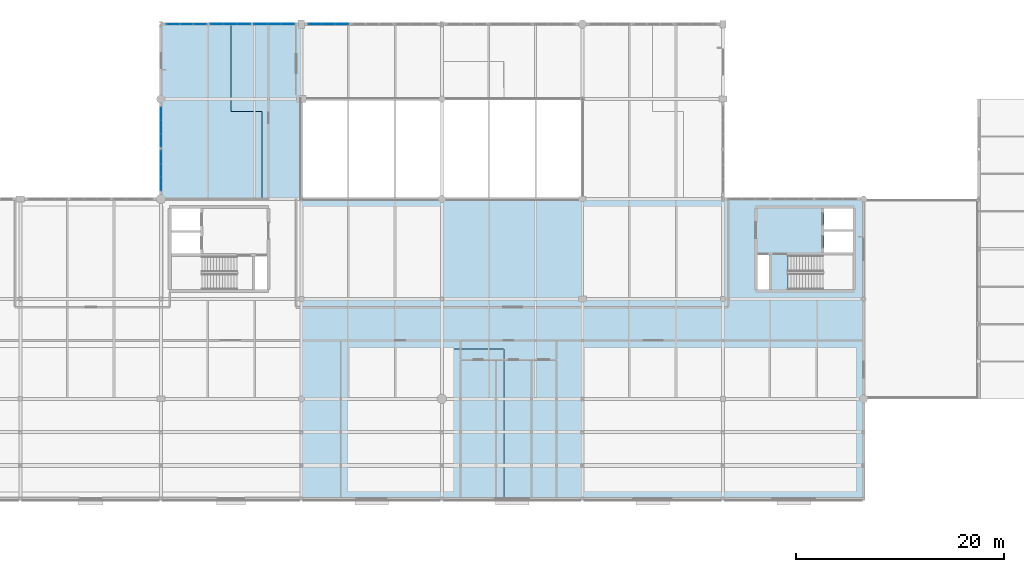
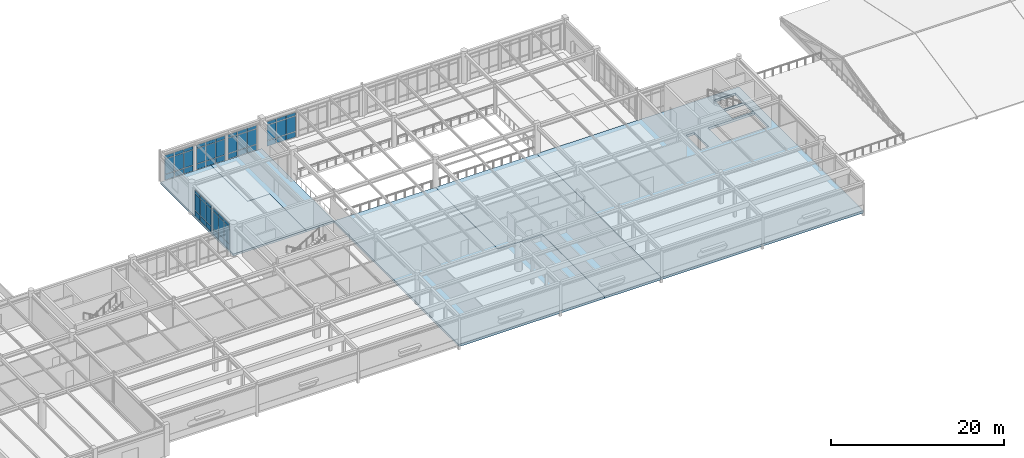
# One storey, part 39 of 61: 54 plates, 5 slabs, 6 elements without a shape of their own.
"""IFC4 building model written with IfcOpenShell, lengths in metres."""

from ifc_helpers import new_model, si_unit, direction, frame, origin, origin_2d, place, context, subcontext, project, spatial, polyline, rectangle, outline, extrude, material, layer, layer_set, type_object, element, aggregate, save


model = new_model("IFC4")

# Units and contexts
model_context = context("Model", 3, precision=1e-05, world=origin(), true_north=direction((0.0, 1.0)))
body_context = subcontext(model_context, "Body", "Model", "MODEL_VIEW")
ifc_project = project(units=[si_unit("LENGTHUNIT", "METRE"), si_unit("AREAUNIT", "SQUARE_METRE"), si_unit("VOLUMEUNIT", "CUBIC_METRE"), si_unit("PLANEANGLEUNIT", "RADIAN"), si_unit("MASSUNIT", "GRAM", prefix="KILO")], contexts=[model_context])

# Site, building, storey
site_placement = place(None, origin())
site = spatial("IfcSite", under=ifc_project, at=site_placement, CompositionType="ELEMENT")
building_placement = place(site_placement, origin())
building = spatial("IfcBuilding", under=site, at=building_placement, Name="Fikremerkos Civic Library", CompositionType="ELEMENT")
storey_placement = place(building_placement, frame((0.0, 0.0, 14.39990234375)))
storey = spatial("IfcBuildingStorey", under=building, at=storey_placement, Name="L03", CompositionType="ELEMENT", Elevation=14.39990234375)

# Curtain wall, plates
ifc_material_1 = material(Name="Anodized aluminium Frame", Category="aluminium")
ifc_layer_1 = layer(ifc_material_1, 0.159912109375, Name="Anodized aluminium Frame")
ifc_layer_set_1 = layer_set([ifc_layer_1], Name="Anodized aluminium Frame")
curtain_wall_type_1 = type_object("IfcCurtainWallType", Name="Unitised curtain wall CW-13 3700x3200", PredefinedType="USERDEFINED", material=ifc_layer_set_1)
curtain_wall_1_placement = place(storey_placement, origin())
curtain_wall_1 = element("IfcCurtainWall", 1, at=curtain_wall_1_placement, inside=storey, type_object=curtain_wall_type_1, Name="Unitised curtain wall CW-13 L03 #193", ObjectType="UNITISED CURTAIN WALL", PredefinedType="USERDEFINED")
ifc_material_2 = material(Name="Solar control double glazing", Category="glass")
ifc_layer_2 = layer(ifc_material_2, 0.028076171875, Name="Solar control double glazing")
ifc_layer_set_2 = layer_set([ifc_layer_2], Name="Solar control double glazing")
plate_type_1 = type_object("IfcPlateType", Name="Curtain glazing panel CWP-01 28", PredefinedType="CURTAIN_PANEL", material=ifc_layer_set_2)
plate_1_placement = place(storey_placement, frame((47.3671875, 48.0, 0.06005859375), z_axis=(0.0, 0.0, 1.0), x_axis=(1.0, 0.0, 0.0)))
plate_1 = element("IfcPlate", 2, at=plate_1_placement, type_object=plate_type_1, Name="CW-13 panel 1.1", PredefinedType="CURTAIN_PANEL", context=body_context, shape_type="SweptSolid", body=[
    extrude(rectangle(XDim=1.20849609375, YDim=0.028076171875, at=origin_2d()), origin(), (0.0, 0.0, 1.0), 0.760009765625),
])
plate_2_placement = place(storey_placement, frame((47.3671875, 48.0, 0.880126953125), z_axis=(0.0, 0.0, 1.0), x_axis=(1.0, 0.0, 0.0)))
plate_2 = element("IfcPlate", 3, at=plate_2_placement, type_object=plate_type_1, Name="CW-13 panel 1.2", PredefinedType="CURTAIN_PANEL", context=body_context, shape_type="SweptSolid", body=[
    extrude(rectangle(XDim=1.20849609375, YDim=0.028076171875, at=origin_2d()), origin(), (0.0, 0.0, 1.0), 2.14990234375),
])
plate_3_placement = place(storey_placement, frame((47.3671875, 48.0, 3.090087890625), z_axis=(0.0, 0.0, 1.0), x_axis=(1.0, 0.0, 0.0)))
plate_3 = element("IfcPlate", 4, at=plate_3_placement, type_object=plate_type_1, Name="CW-13 panel 1.3", PredefinedType="CURTAIN_PANEL", context=body_context, shape_type="SweptSolid", body=[
    extrude(rectangle(XDim=1.20849609375, YDim=0.028076171875, at=origin_2d()), origin(), (0.0, 0.0, 1.0), 0.4599609375),
])
plate_4_placement = place(storey_placement, frame((48.656982421875, 48.0, 0.06005859375), z_axis=(0.0, 0.0, 1.0), x_axis=(1.0, 0.0, 0.0)))
plate_4 = element("IfcPlate", 5, at=plate_4_placement, type_object=plate_type_1, Name="CW-13 panel 2.1", PredefinedType="CURTAIN_PANEL", context=body_context, shape_type="SweptSolid", body=[
    extrude(rectangle(XDim=1.240966796875, YDim=0.028076171875, at=origin_2d()), origin(), (0.0, 0.0, 1.0), 0.760009765625),
])
plate_5_placement = place(storey_placement, frame((48.656982421875, 48.0, 0.880126953125), z_axis=(0.0, 0.0, 1.0), x_axis=(1.0, 0.0, 0.0)))
plate_5 = element("IfcPlate", 6, at=plate_5_placement, type_object=plate_type_1, Name="CW-13 panel 2.2", PredefinedType="CURTAIN_PANEL", context=body_context, shape_type="SweptSolid", body=[
    extrude(rectangle(XDim=1.240966796875, YDim=0.028076171875, at=origin_2d()), origin(), (0.0, 0.0, 1.0), 2.14990234375),
])
plate_6_placement = place(storey_placement, frame((48.656982421875, 48.0, 3.090087890625), z_axis=(0.0, 0.0, 1.0), x_axis=(1.0, 0.0, 0.0)))
plate_6 = element("IfcPlate", 7, at=plate_6_placement, type_object=plate_type_1, Name="CW-13 panel 2.3", PredefinedType="CURTAIN_PANEL", context=body_context, shape_type="SweptSolid", body=[
    extrude(rectangle(XDim=1.240966796875, YDim=0.028076171875, at=origin_2d()), origin(), (0.0, 0.0, 1.0), 0.4599609375),
])
plate_7_placement = place(storey_placement, frame((49.94677734375, 48.0, 0.06005859375), z_axis=(0.0, 0.0, 1.0), x_axis=(1.0, 0.0, 0.0)))
plate_7 = element("IfcPlate", 8, at=plate_7_placement, type_object=plate_type_1, Name="CW-13 panel 3.1", PredefinedType="CURTAIN_PANEL", context=body_context, shape_type="SweptSolid", body=[
    extrude(rectangle(XDim=1.20849609375, YDim=0.028076171875, at=origin_2d()), origin(), (0.0, 0.0, 1.0), 0.760009765625),
])
plate_8_placement = place(storey_placement, frame((49.94677734375, 48.0, 0.880126953125), z_axis=(0.0, 0.0, 1.0), x_axis=(1.0, 0.0, 0.0)))
plate_8 = element("IfcPlate", 9, at=plate_8_placement, type_object=plate_type_1, Name="CW-13 panel 3.2", PredefinedType="CURTAIN_PANEL", context=body_context, shape_type="SweptSolid", body=[
    extrude(rectangle(XDim=1.20849609375, YDim=0.028076171875, at=origin_2d()), origin(), (0.0, 0.0, 1.0), 2.14990234375),
])
plate_9_placement = place(storey_placement, frame((49.94677734375, 48.0, 3.090087890625), z_axis=(0.0, 0.0, 1.0), x_axis=(1.0, 0.0, 0.0)))
plate_9 = element("IfcPlate", 10, at=plate_9_placement, type_object=plate_type_1, Name="CW-13 panel 3.3", PredefinedType="CURTAIN_PANEL", context=body_context, shape_type="SweptSolid", body=[
    extrude(rectangle(XDim=1.20849609375, YDim=0.028076171875, at=origin_2d()), origin(), (0.0, 0.0, 1.0), 0.4599609375),
])
aggregate(curtain_wall_1, [plate_1, plate_2, plate_3, plate_4, plate_5, plate_6, plate_7, plate_8, plate_9])

ifc_layer_3 = layer(ifc_material_1, 0.159912109375, Name="Anodized aluminium Frame")
ifc_layer_set_3 = layer_set([ifc_layer_3], Name="Anodized aluminium Frame")
curtain_wall_type_2 = type_object("IfcCurtainWallType", Name="Unitised curtain wall CW-14 4100x3200", PredefinedType="USERDEFINED", material=ifc_layer_set_3)
curtain_wall_2_placement = place(storey_placement, origin())
curtain_wall_2 = element("IfcCurtainWall", 11, at=curtain_wall_2_placement, inside=storey, type_object=curtain_wall_type_2, Name="Unitised curtain wall CW-14 L03 #194", ObjectType="UNITISED CURTAIN WALL", PredefinedType="USERDEFINED")
ifc_layer_4 = layer(ifc_material_2, 0.035888671875, Name="Solar control double glazing")
ifc_layer_set_4 = layer_set([ifc_layer_4], Name="Solar control double glazing")
plate_type_2 = type_object("IfcPlateType", Name="Curtain glazing panel CWP-02 36", PredefinedType="CURTAIN_PANEL", material=ifc_layer_set_4)
plate_10_placement = place(storey_placement, frame((51.583984375, 48.0, 0.06005859375), z_axis=(0.0, 0.0, 1.0), x_axis=(1.0, 0.0, 0.0)))
plate_10 = element("IfcPlate", 12, at=plate_10_placement, type_object=plate_type_2, Name="CW-14 panel 1.1", PredefinedType="CURTAIN_PANEL", context=body_context, shape_type="SweptSolid", body=[
    extrude(rectangle(XDim=1.216064453125, YDim=0.035888671875, at=origin_2d()), origin(), (0.0, 0.0, 1.0), 0.760009765625),
])
plate_11_placement = place(storey_placement, frame((51.583984375, 48.0, 0.880126953125), z_axis=(0.0, 0.0, 1.0), x_axis=(1.0, 0.0, 0.0)))
plate_11 = element("IfcPlate", 13, at=plate_11_placement, type_object=plate_type_2, Name="CW-14 panel 1.2", PredefinedType="CURTAIN_PANEL", context=body_context, shape_type="SweptSolid", body=[
    extrude(rectangle(XDim=1.216064453125, YDim=0.035888671875, at=origin_2d()), origin(), (0.0, 0.0, 1.0), 2.14990234375),
])
plate_12_placement = place(storey_placement, frame((51.583984375, 48.0, 3.090087890625), z_axis=(0.0, 0.0, 1.0), x_axis=(1.0, 0.0, 0.0)))
plate_12 = element("IfcPlate", 14, at=plate_12_placement, type_object=plate_type_2, Name="CW-14 panel 1.3", PredefinedType="CURTAIN_PANEL", context=body_context, shape_type="SweptSolid", body=[
    extrude(rectangle(XDim=1.216064453125, YDim=0.035888671875, at=origin_2d()), origin(), (0.0, 0.0, 1.0), 0.4599609375),
])
plate_13_placement = place(storey_placement, frame((52.875, 48.0, 0.06005859375), z_axis=(0.0, 0.0, 1.0), x_axis=(1.0, 0.0, 0.0)))
plate_13 = element("IfcPlate", 15, at=plate_13_placement, type_object=plate_type_2, Name="CW-14 panel 2.1", PredefinedType="CURTAIN_PANEL", context=body_context, shape_type="SweptSolid", body=[
    extrude(rectangle(XDim=1.24609375, YDim=0.035888671875, at=origin_2d()), origin(), (0.0, 0.0, 1.0), 0.760009765625),
])
plate_14_placement = place(storey_placement, frame((52.875, 48.0, 0.880126953125), z_axis=(0.0, 0.0, 1.0), x_axis=(1.0, 0.0, 0.0)))
plate_14 = element("IfcPlate", 16, at=plate_14_placement, type_object=plate_type_2, Name="CW-14 panel 2.2", PredefinedType="CURTAIN_PANEL", context=body_context, shape_type="SweptSolid", body=[
    extrude(rectangle(XDim=1.24609375, YDim=0.035888671875, at=origin_2d()), origin(), (0.0, 0.0, 1.0), 2.14990234375),
])
plate_15_placement = place(storey_placement, frame((52.875, 48.0, 3.090087890625), z_axis=(0.0, 0.0, 1.0), x_axis=(1.0, 0.0, 0.0)))
plate_15 = element("IfcPlate", 17, at=plate_15_placement, type_object=plate_type_2, Name="CW-14 panel 2.3", PredefinedType="CURTAIN_PANEL", context=body_context, shape_type="SweptSolid", body=[
    extrude(rectangle(XDim=1.24609375, YDim=0.035888671875, at=origin_2d()), origin(), (0.0, 0.0, 1.0), 0.4599609375),
])
plate_16_placement = place(storey_placement, frame((54.166015625, 48.0, 0.06005859375), z_axis=(0.0, 0.0, 1.0), x_axis=(1.0, 0.0, 0.0)))
plate_16 = element("IfcPlate", 18, at=plate_16_placement, type_object=plate_type_2, Name="CW-14 panel 3.1", PredefinedType="CURTAIN_PANEL", context=body_context, shape_type="SweptSolid", body=[
    extrude(rectangle(XDim=1.216064453125, YDim=0.035888671875, at=origin_2d()), origin(), (0.0, 0.0, 1.0), 0.760009765625),
])
plate_17_placement = place(storey_placement, frame((54.166015625, 48.0, 0.880126953125), z_axis=(0.0, 0.0, 1.0), x_axis=(1.0, 0.0, 0.0)))
plate_17 = element("IfcPlate", 19, at=plate_17_placement, type_object=plate_type_2, Name="CW-14 panel 3.2", PredefinedType="CURTAIN_PANEL", context=body_context, shape_type="SweptSolid", body=[
    extrude(rectangle(XDim=1.216064453125, YDim=0.035888671875, at=origin_2d()), origin(), (0.0, 0.0, 1.0), 2.14990234375),
])
plate_18_placement = place(storey_placement, frame((54.166015625, 48.0, 3.090087890625), z_axis=(0.0, 0.0, 1.0), x_axis=(1.0, 0.0, 0.0)))
plate_18 = element("IfcPlate", 20, at=plate_18_placement, type_object=plate_type_2, Name="CW-14 panel 3.3", PredefinedType="CURTAIN_PANEL", context=body_context, shape_type="SweptSolid", body=[
    extrude(rectangle(XDim=1.216064453125, YDim=0.035888671875, at=origin_2d()), origin(), (0.0, 0.0, 1.0), 0.4599609375),
])
aggregate(curtain_wall_2, [plate_10, plate_11, plate_12, plate_13, plate_14, plate_15, plate_16, plate_17, plate_18])

ifc_layer_5 = layer(ifc_material_1, 0.159912109375, Name="Anodized aluminium Frame")
ifc_layer_set_5 = layer_set([ifc_layer_5], Name="Anodized aluminium Frame")
curtain_wall_type_3 = type_object("IfcCurtainWallType", Name="Unitised curtain wall CW-11 3200x3400", PredefinedType="USERDEFINED", material=ifc_layer_set_5)
curtain_wall_3_placement = place(storey_placement, origin())
curtain_wall_3 = element("IfcCurtainWall", 21, at=curtain_wall_3_placement, inside=storey, type_object=curtain_wall_type_3, Name="Unitised curtain wall CW-11 L03 #191", ObjectType="UNITISED CURTAIN WALL", PredefinedType="USERDEFINED")
ifc_material_3 = material(Name="Insulated aluminium spandrel", Category="aluminium")
ifc_layer_6 = layer(ifc_material_3, 0.044921875, Name="Insulated aluminium spandrel")
ifc_layer_set_6 = layer_set([ifc_layer_6], Name="Insulated aluminium spandrel")
plate_type_3 = type_object("IfcPlateType", Name="Curtain spandrel panel CSP-01 45", PredefinedType="CURTAIN_PANEL", material=ifc_layer_set_6)
plate_19_placement = place(storey_placement, frame((46.199951171875, 32.6591796875, 0.065185546875), z_axis=(0.0, 0.0, 1.0), x_axis=(0.0, 1.0, 0.0)))
plate_19 = element("IfcPlate", 22, at=plate_19_placement, type_object=plate_type_3, Name="CW-11 panel 1.1", PredefinedType="CURTAIN_PANEL", context=body_context, shape_type="SweptSolid", body=[
    extrude(rectangle(XDim=1.202392578125, YDim=0.044921875, at=origin_2d()), origin(), (0.0, 0.0, 1.0), 0.75244140625),
])
plate_20_placement = place(storey_placement, frame((46.199951171875, 32.6591796875, 0.882568359375), z_axis=(0.0, 0.0, 1.0), x_axis=(0.0, 1.0, 0.0)))
plate_20 = element("IfcPlate", 23, at=plate_20_placement, type_object=plate_type_3, Name="CW-11 panel 1.2", PredefinedType="CURTAIN_PANEL", context=body_context, shape_type="SweptSolid", body=[
    extrude(rectangle(XDim=1.202392578125, YDim=0.044921875, at=origin_2d()), origin(), (0.0, 0.0, 1.0), 2.35498046875),
])
plate_21_placement = place(storey_placement, frame((46.199951171875, 32.6591796875, 3.302734375), z_axis=(0.0, 0.0, 1.0), x_axis=(0.0, 1.0, 0.0)))
plate_21 = element("IfcPlate", 24, at=plate_21_placement, type_object=plate_type_3, Name="CW-11 panel 1.3", PredefinedType="CURTAIN_PANEL", context=body_context, shape_type="SweptSolid", body=[
    extrude(rectangle(XDim=1.202392578125, YDim=0.044921875, at=origin_2d()), origin(), (0.0, 0.0, 1.0), 0.452392578125),
])
plate_22_placement = place(storey_placement, frame((46.199951171875, 33.9365234375, 0.065185546875), z_axis=(0.0, 0.0, 1.0), x_axis=(0.0, 1.0, 0.0)))
plate_22 = element("IfcPlate", 25, at=plate_22_placement, type_object=plate_type_3, Name="CW-11 panel 2.1", PredefinedType="CURTAIN_PANEL", context=body_context, shape_type="SweptSolid", body=[
    extrude(rectangle(XDim=1.232421875, YDim=0.044921875, at=origin_2d()), origin(), (0.0, 0.0, 1.0), 0.75244140625),
])
plate_23_placement = place(storey_placement, frame((46.199951171875, 33.9365234375, 0.882568359375), z_axis=(0.0, 0.0, 1.0), x_axis=(0.0, 1.0, 0.0)))
plate_23 = element("IfcPlate", 26, at=plate_23_placement, type_object=plate_type_3, Name="CW-11 panel 2.2", PredefinedType="CURTAIN_PANEL", context=body_context, shape_type="SweptSolid", body=[
    extrude(rectangle(XDim=1.232421875, YDim=0.044921875, at=origin_2d()), origin(), (0.0, 0.0, 1.0), 2.35498046875),
])
plate_24_placement = place(storey_placement, frame((46.199951171875, 33.9365234375, 3.302734375), z_axis=(0.0, 0.0, 1.0), x_axis=(0.0, 1.0, 0.0)))
plate_24 = element("IfcPlate", 27, at=plate_24_placement, type_object=plate_type_3, Name="CW-11 panel 2.3", PredefinedType="CURTAIN_PANEL", context=body_context, shape_type="SweptSolid", body=[
    extrude(rectangle(XDim=1.232421875, YDim=0.044921875, at=origin_2d()), origin(), (0.0, 0.0, 1.0), 0.452392578125),
])
plate_25_placement = place(storey_placement, frame((46.199951171875, 35.2138671875, 0.065185546875), z_axis=(0.0, 0.0, 1.0), x_axis=(0.0, 1.0, 0.0)))
plate_25 = element("IfcPlate", 28, at=plate_25_placement, type_object=plate_type_3, Name="CW-11 panel 3.1", PredefinedType="CURTAIN_PANEL", context=body_context, shape_type="SweptSolid", body=[
    extrude(rectangle(XDim=1.202392578125, YDim=0.044921875, at=origin_2d()), origin(), (0.0, 0.0, 1.0), 0.75244140625),
])
plate_26_placement = place(storey_placement, frame((46.199951171875, 35.2138671875, 0.882568359375), z_axis=(0.0, 0.0, 1.0), x_axis=(0.0, 1.0, 0.0)))
plate_26 = element("IfcPlate", 29, at=plate_26_placement, type_object=plate_type_3, Name="CW-11 panel 3.2", PredefinedType="CURTAIN_PANEL", context=body_context, shape_type="SweptSolid", body=[
    extrude(rectangle(XDim=1.202392578125, YDim=0.044921875, at=origin_2d()), origin(), (0.0, 0.0, 1.0), 2.35498046875),
])
plate_27_placement = place(storey_placement, frame((46.199951171875, 35.2138671875, 3.302734375), z_axis=(0.0, 0.0, 1.0), x_axis=(0.0, 1.0, 0.0)))
plate_27 = element("IfcPlate", 30, at=plate_27_placement, type_object=plate_type_3, Name="CW-11 panel 3.3", PredefinedType="CURTAIN_PANEL", context=body_context, shape_type="SweptSolid", body=[
    extrude(rectangle(XDim=1.202392578125, YDim=0.044921875, at=origin_2d()), origin(), (0.0, 0.0, 1.0), 0.452392578125),
])
aggregate(curtain_wall_3, [plate_19, plate_20, plate_21, plate_22, plate_23, plate_24, plate_25, plate_26, plate_27])

ifc_layer_7 = layer(ifc_material_1, 0.159912109375, Name="Anodized aluminium Frame")
ifc_layer_set_7 = layer_set([ifc_layer_7], Name="Anodized aluminium Frame")
curtain_wall_type_4 = type_object("IfcCurtainWallType", Name="Unitised curtain wall CW-15 2900x3600", PredefinedType="USERDEFINED", material=ifc_layer_set_7)
curtain_wall_4_placement = place(storey_placement, origin())
curtain_wall_4 = element("IfcCurtainWall", 31, at=curtain_wall_4_placement, inside=storey, type_object=curtain_wall_type_4, Name="Unitised curtain wall CW-15 L03 #195", ObjectType="UNITISED CURTAIN WALL", PredefinedType="USERDEFINED")
plate_28_placement = place(storey_placement, frame((55.802001953125, 48.0, 0.070068359375), z_axis=(0.0, 0.0, 1.0), x_axis=(1.0, 0.0, 0.0)))
plate_28 = element("IfcPlate", 32, at=plate_28_placement, type_object=plate_type_3, Name="CW-15 panel 1.1", PredefinedType="CURTAIN_PANEL", context=body_context, shape_type="SweptSolid", body=[
    extrude(rectangle(XDim=1.216064453125, YDim=0.044921875, at=origin_2d()), origin(), (0.0, 0.0, 1.0), 0.7451171875),
])
plate_29_placement = place(storey_placement, frame((55.802001953125, 48.0, 0.88525390625), z_axis=(0.0, 0.0, 1.0), x_axis=(1.0, 0.0, 0.0)))
plate_29 = element("IfcPlate", 33, at=plate_29_placement, type_object=plate_type_3, Name="CW-15 panel 1.2", PredefinedType="CURTAIN_PANEL", context=body_context, shape_type="SweptSolid", body=[
    extrude(rectangle(XDim=1.216064453125, YDim=0.044921875, at=origin_2d()), origin(), (0.0, 0.0, 1.0), 2.139892578125),
])
plate_30_placement = place(storey_placement, frame((55.802001953125, 48.0, 3.09521484375), z_axis=(0.0, 0.0, 1.0), x_axis=(1.0, 0.0, 0.0)))
plate_30 = element("IfcPlate", 34, at=plate_30_placement, type_object=plate_type_3, Name="CW-15 panel 1.3", PredefinedType="CURTAIN_PANEL", context=body_context, shape_type="SweptSolid", body=[
    extrude(rectangle(XDim=1.216064453125, YDim=0.044921875, at=origin_2d()), origin(), (0.0, 0.0, 1.0), 0.445068359375),
])
plate_31_placement = place(storey_placement, frame((57.093017578125, 48.0, 0.070068359375), z_axis=(0.0, 0.0, 1.0), x_axis=(1.0, 0.0, 0.0)))
plate_31 = element("IfcPlate", 35, at=plate_31_placement, type_object=plate_type_3, Name="CW-15 panel 2.1", PredefinedType="CURTAIN_PANEL", context=body_context, shape_type="SweptSolid", body=[
    extrude(rectangle(XDim=1.24609375, YDim=0.044921875, at=origin_2d()), origin(), (0.0, 0.0, 1.0), 0.7451171875),
])
plate_32_placement = place(storey_placement, frame((57.093017578125, 48.0, 0.88525390625), z_axis=(0.0, 0.0, 1.0), x_axis=(1.0, 0.0, 0.0)))
plate_32 = element("IfcPlate", 36, at=plate_32_placement, type_object=plate_type_3, Name="CW-15 panel 2.2", PredefinedType="CURTAIN_PANEL", context=body_context, shape_type="SweptSolid", body=[
    extrude(rectangle(XDim=1.24609375, YDim=0.044921875, at=origin_2d()), origin(), (0.0, 0.0, 1.0), 2.139892578125),
])
plate_33_placement = place(storey_placement, frame((57.093017578125, 48.0, 3.09521484375), z_axis=(0.0, 0.0, 1.0), x_axis=(1.0, 0.0, 0.0)))
plate_33 = element("IfcPlate", 37, at=plate_33_placement, type_object=plate_type_3, Name="CW-15 panel 2.3", PredefinedType="CURTAIN_PANEL", context=body_context, shape_type="SweptSolid", body=[
    extrude(rectangle(XDim=1.24609375, YDim=0.044921875, at=origin_2d()), origin(), (0.0, 0.0, 1.0), 0.445068359375),
])
plate_34_placement = place(storey_placement, frame((58.384033203125, 48.0, 0.070068359375), z_axis=(0.0, 0.0, 1.0), x_axis=(1.0, 0.0, 0.0)))
plate_34 = element("IfcPlate", 38, at=plate_34_placement, type_object=plate_type_3, Name="CW-15 panel 3.1", PredefinedType="CURTAIN_PANEL", context=body_context, shape_type="SweptSolid", body=[
    extrude(rectangle(XDim=1.216064453125, YDim=0.044921875, at=origin_2d()), origin(), (0.0, 0.0, 1.0), 0.7451171875),
])
plate_35_placement = place(storey_placement, frame((58.384033203125, 48.0, 0.88525390625), z_axis=(0.0, 0.0, 1.0), x_axis=(1.0, 0.0, 0.0)))
plate_35 = element("IfcPlate", 39, at=plate_35_placement, type_object=plate_type_3, Name="CW-15 panel 3.2", PredefinedType="CURTAIN_PANEL", context=body_context, shape_type="SweptSolid", body=[
    extrude(rectangle(XDim=1.216064453125, YDim=0.044921875, at=origin_2d()), origin(), (0.0, 0.0, 1.0), 2.139892578125),
])
plate_36_placement = place(storey_placement, frame((58.384033203125, 48.0, 3.09521484375), z_axis=(0.0, 0.0, 1.0), x_axis=(1.0, 0.0, 0.0)))
plate_36 = element("IfcPlate", 40, at=plate_36_placement, type_object=plate_type_3, Name="CW-15 panel 3.3", PredefinedType="CURTAIN_PANEL", context=body_context, shape_type="SweptSolid", body=[
    extrude(rectangle(XDim=1.216064453125, YDim=0.044921875, at=origin_2d()), origin(), (0.0, 0.0, 1.0), 0.445068359375),
])
aggregate(curtain_wall_4, [plate_28, plate_29, plate_30, plate_31, plate_32, plate_33, plate_34, plate_35, plate_36])

ifc_layer_8 = layer(ifc_material_1, 0.159912109375, Name="Anodized aluminium Frame")
ifc_layer_set_8 = layer_set([ifc_layer_8], Name="Anodized aluminium Frame")
curtain_wall_type_5 = type_object("IfcCurtainWallType", Name="Unitised curtain wall CW-12 4300x3400", PredefinedType="USERDEFINED", material=ifc_layer_set_8)
curtain_wall_5_placement = place(storey_placement, origin())
curtain_wall_5 = element("IfcCurtainWall", 41, at=curtain_wall_5_placement, inside=storey, type_object=curtain_wall_type_5, Name="Unitised curtain wall CW-12 L03 #192", ObjectType="UNITISED CURTAIN WALL", PredefinedType="USERDEFINED")
ifc_layer_9 = layer(ifc_material_3, 0.054931640625, Name="Insulated aluminium spandrel")
ifc_layer_set_9 = layer_set([ifc_layer_9], Name="Insulated aluminium spandrel")
plate_type_4 = type_object("IfcPlateType", Name="Curtain spandrel panel CSP-02 55", PredefinedType="CURTAIN_PANEL", material=ifc_layer_set_9)
plate_37_placement = place(storey_placement, frame((46.199951171875, 36.836181640625, 0.065185546875), z_axis=(0.0, 0.0, 1.0), x_axis=(0.0, 1.0, 0.0)))
plate_37 = element("IfcPlate", 42, at=plate_37_placement, type_object=plate_type_4, Name="CW-12 panel 1.1", PredefinedType="CURTAIN_PANEL", context=body_context, shape_type="SweptSolid", body=[
    extrude(rectangle(XDim=1.202392578125, YDim=0.054931640625, at=origin_2d()), origin(), (0.0, 0.0, 1.0), 0.75244140625),
])
plate_38_placement = place(storey_placement, frame((46.199951171875, 36.836181640625, 0.882568359375), z_axis=(0.0, 0.0, 1.0), x_axis=(0.0, 1.0, 0.0)))
plate_38 = element("IfcPlate", 43, at=plate_38_placement, type_object=plate_type_4, Name="CW-12 panel 1.2", PredefinedType="CURTAIN_PANEL", context=body_context, shape_type="SweptSolid", body=[
    extrude(rectangle(XDim=1.202392578125, YDim=0.054931640625, at=origin_2d()), origin(), (0.0, 0.0, 1.0), 2.35498046875),
])
plate_39_placement = place(storey_placement, frame((46.199951171875, 36.836181640625, 3.302734375), z_axis=(0.0, 0.0, 1.0), x_axis=(0.0, 1.0, 0.0)))
plate_39 = element("IfcPlate", 44, at=plate_39_placement, type_object=plate_type_4, Name="CW-12 panel 1.3", PredefinedType="CURTAIN_PANEL", context=body_context, shape_type="SweptSolid", body=[
    extrude(rectangle(XDim=1.202392578125, YDim=0.054931640625, at=origin_2d()), origin(), (0.0, 0.0, 1.0), 0.452392578125),
])
plate_40_placement = place(storey_placement, frame((46.199951171875, 38.113525390625, 0.065185546875), z_axis=(0.0, 0.0, 1.0), x_axis=(0.0, 1.0, 0.0)))
plate_40 = element("IfcPlate", 45, at=plate_40_placement, type_object=plate_type_4, Name="CW-12 panel 2.1", PredefinedType="CURTAIN_PANEL", context=body_context, shape_type="SweptSolid", body=[
    extrude(rectangle(XDim=1.232421875, YDim=0.054931640625, at=origin_2d()), origin(), (0.0, 0.0, 1.0), 0.75244140625),
])
plate_41_placement = place(storey_placement, frame((46.199951171875, 38.113525390625, 0.882568359375), z_axis=(0.0, 0.0, 1.0), x_axis=(0.0, 1.0, 0.0)))
plate_41 = element("IfcPlate", 46, at=plate_41_placement, type_object=plate_type_4, Name="CW-12 panel 2.2", PredefinedType="CURTAIN_PANEL", context=body_context, shape_type="SweptSolid", body=[
    extrude(rectangle(XDim=1.232421875, YDim=0.054931640625, at=origin_2d()), origin(), (0.0, 0.0, 1.0), 2.35498046875),
])
plate_42_placement = place(storey_placement, frame((46.199951171875, 38.113525390625, 3.302734375), z_axis=(0.0, 0.0, 1.0), x_axis=(0.0, 1.0, 0.0)))
plate_42 = element("IfcPlate", 47, at=plate_42_placement, type_object=plate_type_4, Name="CW-12 panel 2.3", PredefinedType="CURTAIN_PANEL", context=body_context, shape_type="SweptSolid", body=[
    extrude(rectangle(XDim=1.232421875, YDim=0.054931640625, at=origin_2d()), origin(), (0.0, 0.0, 1.0), 0.452392578125),
])
plate_43_placement = place(storey_placement, frame((46.199951171875, 39.390869140625, 0.065185546875), z_axis=(0.0, 0.0, 1.0), x_axis=(0.0, 1.0, 0.0)))
plate_43 = element("IfcPlate", 48, at=plate_43_placement, type_object=plate_type_4, Name="CW-12 panel 3.1", PredefinedType="CURTAIN_PANEL", context=body_context, shape_type="SweptSolid", body=[
    extrude(rectangle(XDim=1.202392578125, YDim=0.054931640625, at=origin_2d()), origin(), (0.0, 0.0, 1.0), 0.75244140625),
])
plate_44_placement = place(storey_placement, frame((46.199951171875, 39.390869140625, 0.882568359375), z_axis=(0.0, 0.0, 1.0), x_axis=(0.0, 1.0, 0.0)))
plate_44 = element("IfcPlate", 49, at=plate_44_placement, type_object=plate_type_4, Name="CW-12 panel 3.2", PredefinedType="CURTAIN_PANEL", context=body_context, shape_type="SweptSolid", body=[
    extrude(rectangle(XDim=1.202392578125, YDim=0.054931640625, at=origin_2d()), origin(), (0.0, 0.0, 1.0), 2.35498046875),
])
plate_45_placement = place(storey_placement, frame((46.199951171875, 39.390869140625, 3.302734375), z_axis=(0.0, 0.0, 1.0), x_axis=(0.0, 1.0, 0.0)))
plate_45 = element("IfcPlate", 50, at=plate_45_placement, type_object=plate_type_4, Name="CW-12 panel 3.3", PredefinedType="CURTAIN_PANEL", context=body_context, shape_type="SweptSolid", body=[
    extrude(rectangle(XDim=1.202392578125, YDim=0.054931640625, at=origin_2d()), origin(), (0.0, 0.0, 1.0), 0.452392578125),
])
aggregate(curtain_wall_5, [plate_37, plate_38, plate_39, plate_40, plate_41, plate_42, plate_43, plate_44, plate_45])

ifc_layer_10 = layer(ifc_material_1, 0.159912109375, Name="Anodized aluminium Frame")
ifc_layer_set_10 = layer_set([ifc_layer_10], Name="Anodized aluminium Frame")
curtain_wall_type_6 = type_object("IfcCurtainWallType", Name="Unitised curtain wall CW-16 3100x4100", PredefinedType="USERDEFINED", material=ifc_layer_set_10)
curtain_wall_6_placement = place(storey_placement, origin())
curtain_wall_6 = element("IfcCurtainWall", 51, at=curtain_wall_6_placement, inside=storey, type_object=curtain_wall_type_6, Name="Unitised curtain wall CW-16 L03 #196", ObjectType="UNITISED CURTAIN WALL", PredefinedType="USERDEFINED")
plate_46_placement = place(storey_placement, frame((61.01611328125, 48.0, 0.070068359375), z_axis=(0.0, 0.0, 1.0), x_axis=(1.0, 0.0, 0.0)))
plate_46 = element("IfcPlate", 52, at=plate_46_placement, type_object=plate_type_4, Name="CW-16 panel 1.1", PredefinedType="CURTAIN_PANEL", context=body_context, shape_type="SweptSolid", body=[
    extrude(rectangle(XDim=1.216064453125, YDim=0.054931640625, at=origin_2d()), origin(), (0.0, 0.0, 1.0), 0.7451171875),
])
plate_47_placement = place(storey_placement, frame((61.01611328125, 48.0, 0.88525390625), z_axis=(0.0, 0.0, 1.0), x_axis=(1.0, 0.0, 0.0)))
plate_47 = element("IfcPlate", 53, at=plate_47_placement, type_object=plate_type_4, Name="CW-16 panel 1.2", PredefinedType="CURTAIN_PANEL", context=body_context, shape_type="SweptSolid", body=[
    extrude(rectangle(XDim=1.216064453125, YDim=0.054931640625, at=origin_2d()), origin(), (0.0, 0.0, 1.0), 2.139892578125),
])
plate_48_placement = place(storey_placement, frame((61.01611328125, 48.0, 3.09521484375), z_axis=(0.0, 0.0, 1.0), x_axis=(1.0, 0.0, 0.0)))
plate_48 = element("IfcPlate", 54, at=plate_48_placement, type_object=plate_type_4, Name="CW-16 panel 1.3", PredefinedType="CURTAIN_PANEL", context=body_context, shape_type="SweptSolid", body=[
    extrude(rectangle(XDim=1.216064453125, YDim=0.054931640625, at=origin_2d()), origin(), (0.0, 0.0, 1.0), 0.445068359375),
])
plate_49_placement = place(storey_placement, frame((62.306884765625, 48.0, 0.070068359375), z_axis=(0.0, 0.0, 1.0), x_axis=(1.0, 0.0, 0.0)))
plate_49 = element("IfcPlate", 55, at=plate_49_placement, type_object=plate_type_4, Name="CW-16 panel 2.1", PredefinedType="CURTAIN_PANEL", context=body_context, shape_type="SweptSolid", body=[
    extrude(rectangle(XDim=1.24609375, YDim=0.054931640625, at=origin_2d()), origin(), (0.0, 0.0, 1.0), 0.7451171875),
])
plate_50_placement = place(storey_placement, frame((62.306884765625, 48.0, 0.88525390625), z_axis=(0.0, 0.0, 1.0), x_axis=(1.0, 0.0, 0.0)))
plate_50 = element("IfcPlate", 56, at=plate_50_placement, type_object=plate_type_4, Name="CW-16 panel 2.2", PredefinedType="CURTAIN_PANEL", context=body_context, shape_type="SweptSolid", body=[
    extrude(rectangle(XDim=1.24609375, YDim=0.054931640625, at=origin_2d()), origin(), (0.0, 0.0, 1.0), 2.139892578125),
])
plate_51_placement = place(storey_placement, frame((62.306884765625, 48.0, 3.09521484375), z_axis=(0.0, 0.0, 1.0), x_axis=(1.0, 0.0, 0.0)))
plate_51 = element("IfcPlate", 57, at=plate_51_placement, type_object=plate_type_4, Name="CW-16 panel 2.3", PredefinedType="CURTAIN_PANEL", context=body_context, shape_type="SweptSolid", body=[
    extrude(rectangle(XDim=1.24609375, YDim=0.054931640625, at=origin_2d()), origin(), (0.0, 0.0, 1.0), 0.445068359375),
])
plate_52_placement = place(storey_placement, frame((63.597900390625, 48.0, 0.070068359375), z_axis=(0.0, 0.0, 1.0), x_axis=(1.0, 0.0, 0.0)))
plate_52 = element("IfcPlate", 58, at=plate_52_placement, type_object=plate_type_4, Name="CW-16 panel 3.1", PredefinedType="CURTAIN_PANEL", context=body_context, shape_type="SweptSolid", body=[
    extrude(rectangle(XDim=1.216064453125, YDim=0.054931640625, at=origin_2d()), origin(), (0.0, 0.0, 1.0), 0.7451171875),
])
plate_53_placement = place(storey_placement, frame((63.597900390625, 48.0, 0.88525390625), z_axis=(0.0, 0.0, 1.0), x_axis=(1.0, 0.0, 0.0)))
plate_53 = element("IfcPlate", 59, at=plate_53_placement, type_object=plate_type_4, Name="CW-16 panel 3.2", PredefinedType="CURTAIN_PANEL", context=body_context, shape_type="SweptSolid", body=[
    extrude(rectangle(XDim=1.216064453125, YDim=0.054931640625, at=origin_2d()), origin(), (0.0, 0.0, 1.0), 2.139892578125),
])
plate_54_placement = place(storey_placement, frame((63.597900390625, 48.0, 3.09521484375), z_axis=(0.0, 0.0, 1.0), x_axis=(1.0, 0.0, 0.0)))
plate_54 = element("IfcPlate", 60, at=plate_54_placement, type_object=plate_type_4, Name="CW-16 panel 3.3", PredefinedType="CURTAIN_PANEL", context=body_context, shape_type="SweptSolid", body=[
    extrude(rectangle(XDim=1.216064453125, YDim=0.054931640625, at=origin_2d()), origin(), (0.0, 0.0, 1.0), 0.445068359375),
])
aggregate(curtain_wall_6, [plate_46, plate_47, plate_48, plate_49, plate_50, plate_51, plate_52, plate_53, plate_54])

# Slabs
ifc_material_4 = material(Name="Concrete C40/50", Category="concrete")
ifc_layer_11 = layer(ifc_material_4, 0.340087890625, Name="Concrete C40/50")
ifc_layer_set_11 = layer_set([ifc_layer_11], Name="Concrete C40/50")
slab_type_1 = type_object("IfcSlabType", Name="Suspended floor slab SFS-01 340", PredefinedType="FLOOR", material=ifc_layer_set_11)
slab_1_placement = place(storey_placement, frame((0.0, 0.0, -0.33984375)))
element("IfcSlab", 61, at=slab_1_placement, inside=storey, type_object=slab_type_1, Name="Floor slab SFS-01 SLB-L03-V4-C-2L1", PredefinedType="FLOOR", context=body_context, shape_type="SweptSolid", body=[
    extrude(outline(polyline([(59.699951171875, 2.39990234375), (79.135986328125, 2.39990234375), (79.135986328125, 16.7958984375), (73.196044921875, 16.7958984375), (73.196044921875, 31.199951171875), (59.699951171875, 31.199951171875), (59.699951171875, 2.39990234375)])), origin(), (0.0, 0.0, 1.0), 0.33984375),
])
slab_2_placement = place(storey_placement, frame((0.0, 0.0, -0.33984375)))
element("IfcSlab", 62, at=slab_2_placement, inside=storey, type_object=slab_type_1, Name="Floor slab SFS-01 SLB-L03-V4-C-2L2", PredefinedType="FLOOR", context=body_context, shape_type="SweptSolid", body=[
    extrude(outline(polyline([(79.14404296875, 2.39990234375), (86.699951171875, 2.39990234375), (86.699951171875, 31.199951171875), (73.2041015625, 31.199951171875), (73.2041015625, 16.803955078125), (79.14404296875, 16.803955078125), (79.14404296875, 2.39990234375)])), origin(), (0.0, 0.0, 1.0), 0.33984375),
])
slab_3_placement = place(storey_placement, frame((0.0, 0.0, -0.33984375)))
element("IfcSlab", 63, at=slab_3_placement, inside=storey, type_object=slab_type_1, Name="Floor slab SFS-01 SLB-L03-V4-C-3", PredefinedType="FLOOR", context=body_context, shape_type="SweptSolid", body=[
    extrude(outline(polyline([(86.699951171875, 2.39990234375), (113.699951171875, 2.39990234375), (113.699951171875, 31.199951171875), (86.699951171875, 31.199951171875), (86.699951171875, 2.39990234375)]), holes=[polyline([(106.449951171875, 22.5), (112.699951171875, 22.5), (112.699951171875, 25.800048828125), (106.449951171875, 25.800048828125), (106.449951171875, 22.5)]), polyline([(109.89990234375, 26.06005859375), (112.699951171875, 26.06005859375), (112.699951171875, 28.10009765625), (109.89990234375, 28.10009765625), (109.89990234375, 26.06005859375)]), polyline([(109.89990234375, 28.260009765625), (112.699951171875, 28.260009765625), (112.699951171875, 30.300048828125), (109.89990234375, 30.300048828125), (109.89990234375, 28.260009765625)]), polyline([(103.5, 22.5), (104.639892578125, 22.5), (104.639892578125, 25.800048828125), (103.5, 25.800048828125), (103.5, 22.5)])]), origin(), (0.0, 0.0, 1.0), 0.33984375),
])
ifc_layer_12 = layer(ifc_material_4, 0.280029296875, Name="Concrete C40/50")
ifc_layer_set_12 = layer_set([ifc_layer_12], Name="Concrete C40/50")
slab_type_2 = type_object("IfcSlabType", Name="Suspended floor slab SFS-04 280", PredefinedType="FLOOR", material=ifc_layer_set_12)
slab_4_placement = place(storey_placement, frame((0.0, 0.0, -0.27978515625)))
element("IfcSlab", 64, at=slab_4_placement, inside=storey, type_object=slab_type_2, Name="Floor slab SFS-04 SLB-L03-V4-A-1L1", PredefinedType="FLOOR", context=body_context, shape_type="SweptSolid", body=[
    extrude(outline(polyline([(46.199951171875, 31.199951171875), (55.916015625, 31.199951171875), (55.916015625, 39.595947265625), (52.946044921875, 39.595947265625), (52.946044921875, 48.0), (46.199951171875, 48.0), (46.199951171875, 31.199951171875)])), origin(), (0.0, 0.0, 1.0), 0.27978515625),
])
slab_5_placement = place(storey_placement, frame((0.0, 0.0, -0.27978515625)))
element("IfcSlab", 65, at=slab_5_placement, inside=storey, type_object=slab_type_2, Name="Floor slab SFS-04 SLB-L03-V4-A-1L2", PredefinedType="FLOOR", context=body_context, shape_type="SweptSolid", body=[
    extrude(outline(polyline([(55.924072265625, 31.199951171875), (59.699951171875, 31.199951171875), (59.699951171875, 48.0), (52.9541015625, 48.0), (52.9541015625, 39.60400390625), (55.924072265625, 39.60400390625), (55.924072265625, 31.199951171875)])), origin(), (0.0, 0.0, 1.0), 0.27978515625),
])

save(model, "model.ifc")
